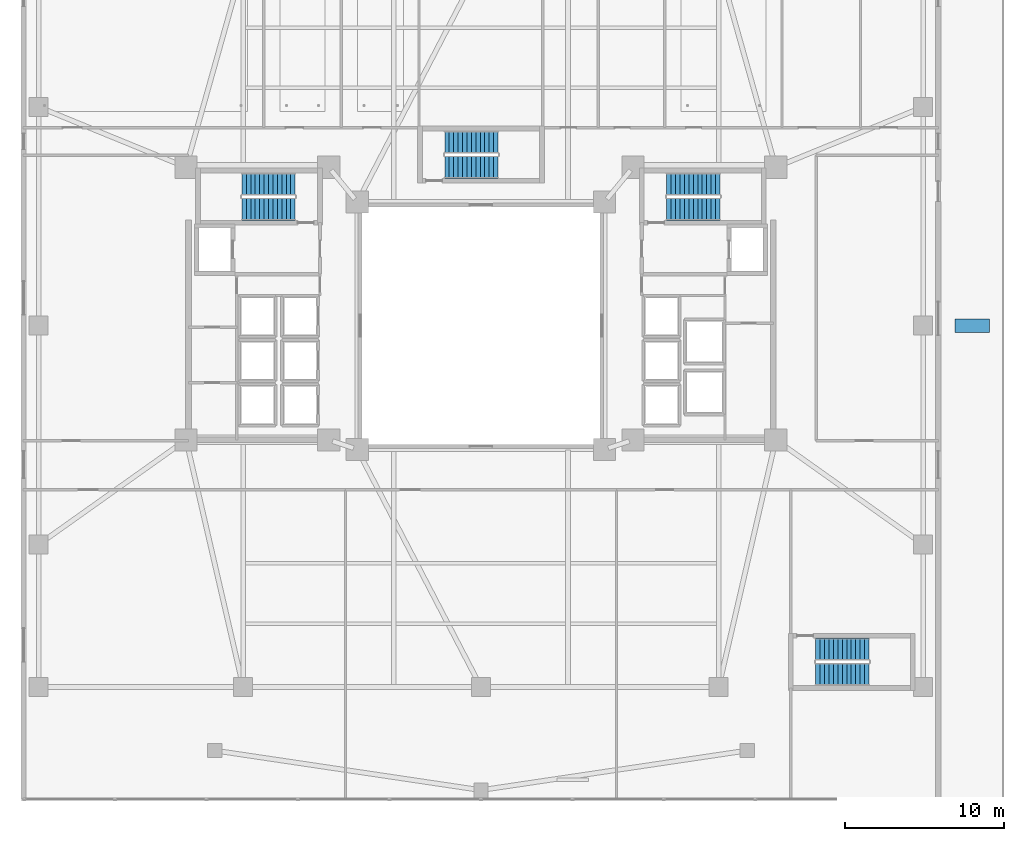
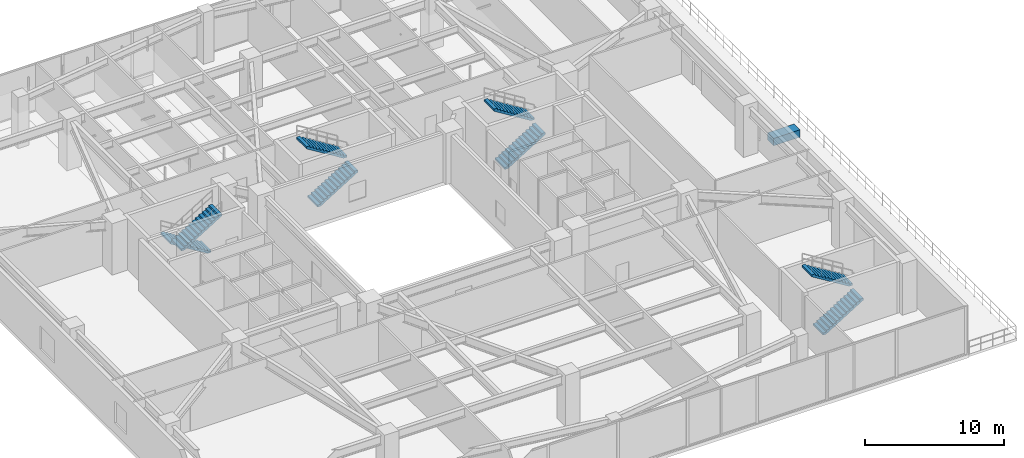
# One storey, part 20 of 27: 8 stair flights, 1 discrete accessory, 4 elements without a shape of their own.
"""IFC4 building model written with IfcOpenShell, lengths in metres."""

from ifc_helpers import new_model, si_unit, direction, frame, origin, origin_2d, place, context, subcontext, project, spatial, polyline, rectangle, outline, extrude, material, type_object, element, aggregate, save


model = new_model("IFC4")

# Units and contexts
model_context = context("Model", 3, precision=1e-05, world=origin(), true_north=direction((0.0, 1.0)))
body_context = subcontext(model_context, "Body", "Model", "MODEL_VIEW")
ifc_project = project(units=[si_unit("LENGTHUNIT", "METRE"), si_unit("AREAUNIT", "SQUARE_METRE"), si_unit("VOLUMEUNIT", "CUBIC_METRE"), si_unit("PLANEANGLEUNIT", "RADIAN"), si_unit("MASSUNIT", "GRAM", prefix="KILO")], contexts=[model_context])

# Site, building, storey
site_placement = place(None, origin())
site = spatial("IfcSite", under=ifc_project, at=site_placement, CompositionType="ELEMENT")
building_placement = place(site_placement, origin())
building = spatial("IfcBuilding", under=site, at=building_placement, Name="Tarnavaz Court Tower", CompositionType="ELEMENT")
storey_placement = place(building_placement, frame((0.0, 0.0, 9.89990234375)))
storey = spatial("IfcBuildingStorey", under=building, at=storey_placement, Name="L02", CompositionType="ELEMENT", Elevation=9.89990234375)

# Stair, stair flights
ifc_material_1 = material(Name="Concrete C40/50", Category="concrete")
stair_type = type_object("IfcStairType", Name="ST-TWR-26R", PredefinedType="HALF_TURN_STAIR", material=ifc_material_1)
stair_1_placement = place(storey_placement, origin())
stair_1 = element("IfcStair", 1, at=stair_1_placement, inside=storey, type_object=stair_type, Name="L02 West Core Pressurized Exit Stair ST-W1", PredefinedType="HALF_TURN_STAIR")
stair_flight_type = type_object("IfcStairFlightType", Name="SFL-RC-26R", PredefinedType="STRAIGHT", material=ifc_material_1)
stair_flight_1_placement = place(storey_placement, frame((-11.719970703125, 8.929931640625, 0.0), z_axis=(0.0, 0.0, 1.0), x_axis=(-1.0, 0.0, 0.0)))
stair_flight_1 = element("IfcStairFlight", 2, at=stair_flight_1_placement, type_object=stair_flight_type, Name="ST-W1 flight 1", NumberOfRisers=13, NumberOfTreads=12, PredefinedType="STRAIGHT", RiserHeight=0.173076923, TreadLength=0.28, context=body_context, shape_type="SweptSolid", body=[
    extrude(outline(polyline([(0.0, 0.0), (0.0, 0.173095703125), (0.280029296875, 0.173095703125), (0.280029296875, 0.34619140625), (0.56005859375, 0.34619140625), (0.56005859375, 0.519287109375), (0.840087890625, 0.519287109375), (0.840087890625, 0.6923828125), (1.1201171875, 0.6923828125), (1.1201171875, 0.865478515625), (1.39990234375, 0.865478515625), (1.39990234375, 1.03857421875), (1.679931640625, 1.03857421875), (1.679931640625, 1.21142578125), (1.9599609375, 1.21142578125), (1.9599609375, 1.384521484375), (2.239990234375, 1.384521484375), (2.239990234375, 1.5576171875), (2.52001953125, 1.5576171875), (2.52001953125, 1.730712890625), (2.800048828125, 1.730712890625), (2.800048828125, 1.90380859375), (3.080078125, 1.90380859375), (3.080078125, 2.076904296875), (3.360107421875, 2.076904296875), (3.360107421875, 2.25), (3.360107421875, 1.900634765625), (0.28515625, 0.0), (0.0, 0.0)])), frame((0.0, 0.7099609375, 0.0), z_axis=(0.0, -1.0, 0.0), x_axis=(1.0, 0.0, 0.0)), (0.0, 0.0, 1.0), 1.419921875),
])
stair_flight_2_placement = place(storey_placement, frame((-15.080078125, 7.360107421875, 2.25), z_axis=(0.0, 0.0, 1.0), x_axis=(1.0, 0.0, 0.0)))
stair_flight_2 = element("IfcStairFlight", 3, at=stair_flight_2_placement, type_object=stair_flight_type, Name="ST-W1 flight 2", NumberOfRisers=13, NumberOfTreads=12, PredefinedType="STRAIGHT", RiserHeight=0.173076923, TreadLength=0.28, context=body_context, shape_type="SweptSolid", body=[
    extrude(outline(polyline([(0.0, 0.0), (0.0, 0.173095703125), (0.280029296875, 0.173095703125), (0.280029296875, 0.34619140625), (0.56005859375, 0.34619140625), (0.56005859375, 0.519287109375), (0.840087890625, 0.519287109375), (0.840087890625, 0.6923828125), (1.1201171875, 0.6923828125), (1.1201171875, 0.865478515625), (1.39990234375, 0.865478515625), (1.39990234375, 1.03857421875), (1.679931640625, 1.03857421875), (1.679931640625, 1.21142578125), (1.9599609375, 1.21142578125), (1.9599609375, 1.384521484375), (2.239990234375, 1.384521484375), (2.239990234375, 1.5576171875), (2.52001953125, 1.5576171875), (2.52001953125, 1.730712890625), (2.800048828125, 1.730712890625), (2.800048828125, 1.90380859375), (3.080078125, 1.90380859375), (3.080078125, 2.076904296875), (3.360107421875, 2.076904296875), (3.360107421875, 2.25), (3.360107421875, 1.900634765625), (0.28515625, 0.0), (0.0, 0.0)])), frame((0.0, 0.7099609375, 0.0), z_axis=(0.0, -1.0, 0.0), x_axis=(1.0, 0.0, 0.0)), (0.0, 0.0, 1.0), 1.419921875),
])
aggregate(stair_1, [stair_flight_1, stair_flight_2])

stair_2_placement = place(storey_placement, origin())
stair_2 = element("IfcStair", 4, at=stair_2_placement, inside=storey, type_object=stair_type, Name="L02 East Core Pressurized Exit Stair ST-E1", PredefinedType="HALF_TURN_STAIR")
stair_flight_3_placement = place(storey_placement, frame((11.719970703125, 7.360107421875, 0.0), z_axis=(0.0, 0.0, 1.0), x_axis=(1.0, 0.0, 0.0)))
stair_flight_3 = element("IfcStairFlight", 5, at=stair_flight_3_placement, type_object=stair_flight_type, Name="ST-E1 flight 1", NumberOfRisers=13, NumberOfTreads=12, PredefinedType="STRAIGHT", RiserHeight=0.173076923, TreadLength=0.28, context=body_context, shape_type="SweptSolid", body=[
    extrude(outline(polyline([(0.0, 0.0), (0.0, 0.173095703125), (0.280029296875, 0.173095703125), (0.280029296875, 0.34619140625), (0.56005859375, 0.34619140625), (0.56005859375, 0.519287109375), (0.840087890625, 0.519287109375), (0.840087890625, 0.6923828125), (1.1201171875, 0.6923828125), (1.1201171875, 0.865478515625), (1.39990234375, 0.865478515625), (1.39990234375, 1.03857421875), (1.679931640625, 1.03857421875), (1.679931640625, 1.21142578125), (1.9599609375, 1.21142578125), (1.9599609375, 1.384521484375), (2.239990234375, 1.384521484375), (2.239990234375, 1.5576171875), (2.52001953125, 1.5576171875), (2.52001953125, 1.730712890625), (2.800048828125, 1.730712890625), (2.800048828125, 1.90380859375), (3.080078125, 1.90380859375), (3.080078125, 2.076904296875), (3.360107421875, 2.076904296875), (3.360107421875, 2.25), (3.360107421875, 1.900634765625), (0.28515625, 0.0), (0.0, 0.0)])), frame((0.0, 0.7099609375, 0.0), z_axis=(0.0, -1.0, 0.0), x_axis=(1.0, 0.0, 0.0)), (0.0, 0.0, 1.0), 1.419921875),
])
stair_flight_4_placement = place(storey_placement, frame((15.080078125, 8.929931640625, 2.25), z_axis=(0.0, 0.0, 1.0), x_axis=(-1.0, 0.0, 0.0)))
stair_flight_4 = element("IfcStairFlight", 6, at=stair_flight_4_placement, type_object=stair_flight_type, Name="ST-E1 flight 2", NumberOfRisers=13, NumberOfTreads=12, PredefinedType="STRAIGHT", RiserHeight=0.173076923, TreadLength=0.28, context=body_context, shape_type="SweptSolid", body=[
    extrude(outline(polyline([(0.0, 0.0), (0.0, 0.173095703125), (0.280029296875, 0.173095703125), (0.280029296875, 0.34619140625), (0.56005859375, 0.34619140625), (0.56005859375, 0.519287109375), (0.840087890625, 0.519287109375), (0.840087890625, 0.6923828125), (1.1201171875, 0.6923828125), (1.1201171875, 0.865478515625), (1.39990234375, 0.865478515625), (1.39990234375, 1.03857421875), (1.679931640625, 1.03857421875), (1.679931640625, 1.21142578125), (1.9599609375, 1.21142578125), (1.9599609375, 1.384521484375), (2.239990234375, 1.384521484375), (2.239990234375, 1.5576171875), (2.52001953125, 1.5576171875), (2.52001953125, 1.730712890625), (2.800048828125, 1.730712890625), (2.800048828125, 1.90380859375), (3.080078125, 1.90380859375), (3.080078125, 2.076904296875), (3.360107421875, 2.076904296875), (3.360107421875, 2.25), (3.360107421875, 1.900634765625), (0.28515625, 0.0), (0.0, 0.0)])), frame((0.0, 0.7099609375, 0.0), z_axis=(0.0, -1.0, 0.0), x_axis=(1.0, 0.0, 0.0)), (0.0, 0.0, 1.0), 1.419921875),
])
aggregate(stair_2, [stair_flight_3, stair_flight_4])

stair_3_placement = place(storey_placement, origin())
stair_3 = element("IfcStair", 7, at=stair_3_placement, inside=storey, type_object=stair_type, Name="L02 North Ring Pressurized Exit Stair ST-N1", PredefinedType="HALF_TURN_STAIR")
stair_flight_5_placement = place(storey_placement, frame((-2.280029296875, 10.010009765625, 0.0), z_axis=(0.0, 0.0, 1.0), x_axis=(1.0, 0.0, 0.0)))
stair_flight_5 = element("IfcStairFlight", 8, at=stair_flight_5_placement, type_object=stair_flight_type, Name="ST-N1 flight 1", NumberOfRisers=13, NumberOfTreads=12, PredefinedType="STRAIGHT", RiserHeight=0.173076923, TreadLength=0.28, context=body_context, shape_type="SweptSolid", body=[
    extrude(outline(polyline([(0.0, 0.0), (0.0, 0.173095703125), (0.280029296875, 0.173095703125), (0.280029296875, 0.34619140625), (0.56005859375, 0.34619140625), (0.56005859375, 0.519287109375), (0.840087890625, 0.519287109375), (0.840087890625, 0.6923828125), (1.1201171875, 0.6923828125), (1.1201171875, 0.865478515625), (1.39990234375, 0.865478515625), (1.39990234375, 1.03857421875), (1.679931640625, 1.03857421875), (1.679931640625, 1.21142578125), (1.9599609375, 1.21142578125), (1.9599609375, 1.384521484375), (2.239990234375, 1.384521484375), (2.239990234375, 1.5576171875), (2.52001953125, 1.5576171875), (2.52001953125, 1.730712890625), (2.800048828125, 1.730712890625), (2.800048828125, 1.90380859375), (3.080078125, 1.90380859375), (3.080078125, 2.076904296875), (3.360107421875, 2.076904296875), (3.360107421875, 2.25), (3.360107421875, 1.900634765625), (0.28515625, 0.0), (0.0, 0.0)])), frame((0.0, 0.7099609375, 0.0), z_axis=(0.0, -1.0, 0.0), x_axis=(1.0, 0.0, 0.0)), (0.0, 0.0, 1.0), 1.419921875),
])
stair_flight_6_placement = place(storey_placement, frame((1.080078125, 11.580078125, 2.25), z_axis=(0.0, 0.0, 1.0), x_axis=(-1.0, 0.0, 0.0)))
stair_flight_6 = element("IfcStairFlight", 9, at=stair_flight_6_placement, type_object=stair_flight_type, Name="ST-N1 flight 2", NumberOfRisers=13, NumberOfTreads=12, PredefinedType="STRAIGHT", RiserHeight=0.173076923, TreadLength=0.28, context=body_context, shape_type="SweptSolid", body=[
    extrude(outline(polyline([(0.0, 0.0), (0.0, 0.173095703125), (0.280029296875, 0.173095703125), (0.280029296875, 0.34619140625), (0.56005859375, 0.34619140625), (0.56005859375, 0.519287109375), (0.840087890625, 0.519287109375), (0.840087890625, 0.6923828125), (1.1201171875, 0.6923828125), (1.1201171875, 0.865478515625), (1.39990234375, 0.865478515625), (1.39990234375, 1.03857421875), (1.679931640625, 1.03857421875), (1.679931640625, 1.21142578125), (1.9599609375, 1.21142578125), (1.9599609375, 1.384521484375), (2.239990234375, 1.384521484375), (2.239990234375, 1.5576171875), (2.52001953125, 1.5576171875), (2.52001953125, 1.730712890625), (2.800048828125, 1.730712890625), (2.800048828125, 1.90380859375), (3.080078125, 1.90380859375), (3.080078125, 2.076904296875), (3.360107421875, 2.076904296875), (3.360107421875, 2.25), (3.360107421875, 1.900634765625), (0.28515625, 0.0), (0.0, 0.0)])), frame((0.0, 0.7099609375, 0.0), z_axis=(0.0, -1.0, 0.0), x_axis=(1.0, 0.0, 0.0)), (0.0, 0.0, 1.0), 1.419921875),
])
aggregate(stair_3, [stair_flight_5, stair_flight_6])

stair_4_placement = place(storey_placement, origin())
stair_4 = element("IfcStair", 10, at=stair_4_placement, inside=storey, type_object=stair_type, Name="L02 Podium Clinic Exit Stair ST-P1", PredefinedType="HALF_TURN_STAIR")
stair_flight_7_placement = place(storey_placement, frame((21.1201171875, -21.989990234375, 0.0), z_axis=(0.0, 0.0, 1.0), x_axis=(1.0, 0.0, 0.0)))
stair_flight_7 = element("IfcStairFlight", 11, at=stair_flight_7_placement, type_object=stair_flight_type, Name="ST-P1 flight 1", NumberOfRisers=13, NumberOfTreads=12, PredefinedType="STRAIGHT", RiserHeight=0.173076923, TreadLength=0.28, context=body_context, shape_type="SweptSolid", body=[
    extrude(outline(polyline([(0.0, 0.0), (0.0, 0.173095703125), (0.280029296875, 0.173095703125), (0.280029296875, 0.34619140625), (0.56005859375, 0.34619140625), (0.56005859375, 0.519287109375), (0.840087890625, 0.519287109375), (0.840087890625, 0.6923828125), (1.1201171875, 0.6923828125), (1.1201171875, 0.865478515625), (1.39990234375, 0.865478515625), (1.39990234375, 1.03857421875), (1.679931640625, 1.03857421875), (1.679931640625, 1.21142578125), (1.9599609375, 1.21142578125), (1.9599609375, 1.384521484375), (2.239990234375, 1.384521484375), (2.239990234375, 1.5576171875), (2.52001953125, 1.5576171875), (2.52001953125, 1.730712890625), (2.800048828125, 1.730712890625), (2.800048828125, 1.90380859375), (3.080078125, 1.90380859375), (3.080078125, 2.076904296875), (3.360107421875, 2.076904296875), (3.360107421875, 2.25), (3.360107421875, 1.900634765625), (0.28515625, 0.0), (0.0, 0.0)])), frame((0.0, 0.7099609375, 0.0), z_axis=(0.0, -1.0, 0.0), x_axis=(1.0, 0.0, 0.0)), (0.0, 0.0, 1.0), 1.419921875),
])
stair_flight_8_placement = place(storey_placement, frame((24.47998046875, -20.419921875, 2.25), z_axis=(0.0, 0.0, 1.0), x_axis=(-1.0, 0.0, 0.0)))
stair_flight_8 = element("IfcStairFlight", 12, at=stair_flight_8_placement, type_object=stair_flight_type, Name="ST-P1 flight 2", NumberOfRisers=13, NumberOfTreads=12, PredefinedType="STRAIGHT", RiserHeight=0.173076923, TreadLength=0.28, context=body_context, shape_type="SweptSolid", body=[
    extrude(outline(polyline([(0.0, 0.0), (0.0, 0.173095703125), (0.280029296875, 0.173095703125), (0.280029296875, 0.34619140625), (0.56005859375, 0.34619140625), (0.56005859375, 0.519287109375), (0.840087890625, 0.519287109375), (0.840087890625, 0.6923828125), (1.1201171875, 0.6923828125), (1.1201171875, 0.865478515625), (1.39990234375, 0.865478515625), (1.39990234375, 1.03857421875), (1.679931640625, 1.03857421875), (1.679931640625, 1.21142578125), (1.9599609375, 1.21142578125), (1.9599609375, 1.384521484375), (2.239990234375, 1.384521484375), (2.239990234375, 1.5576171875), (2.52001953125, 1.5576171875), (2.52001953125, 1.730712890625), (2.800048828125, 1.730712890625), (2.800048828125, 1.90380859375), (3.080078125, 1.90380859375), (3.080078125, 2.076904296875), (3.360107421875, 2.076904296875), (3.360107421875, 2.25), (3.360107421875, 1.900634765625), (0.28515625, 0.0), (0.0, 0.0)])), frame((0.0, 0.7099609375, 0.0), z_axis=(0.0, -1.0, 0.0), x_axis=(1.0, 0.0, 0.0)), (0.0, 0.0, 1.0), 1.419921875),
])
aggregate(stair_4, [stair_flight_7, stair_flight_8])

# Discrete accessory
ifc_material_2 = material(Name="Terracotta Architectural Planter Trough", Category="masonry")
discrete_accessory_type = type_object("IfcDiscreteAccessoryType", Name="DA-PLANTER-TC", PredefinedType="USERDEFINED", material=ifc_material_2)
discrete_accessory_placement = place(storey_placement, frame((31.0, 0.0, 0.000244140625), z_axis=(0.0, 0.0, 1.0), x_axis=(1.0, 0.0, 0.0)))
element("IfcDiscreteAccessory", 13, at=discrete_accessory_placement, inside=storey, type_object=discrete_accessory_type, Name="L02 Chahar-Bagh Terracotta Landscape Planter 1", ObjectType="PLANTER", PredefinedType="USERDEFINED", context=body_context, shape_type="SweptSolid", body=[
    extrude(rectangle(XDim=2.199951171875, YDim=0.85009765625, at=origin_2d()), origin(), (0.0, 0.0, 1.0), 0.64990234375),
])

save(model, "model.ifc")
